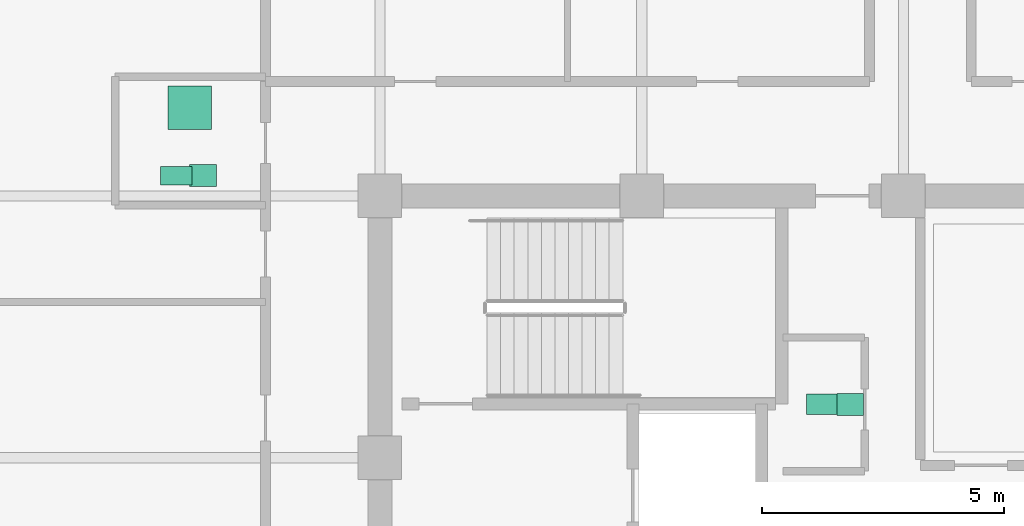
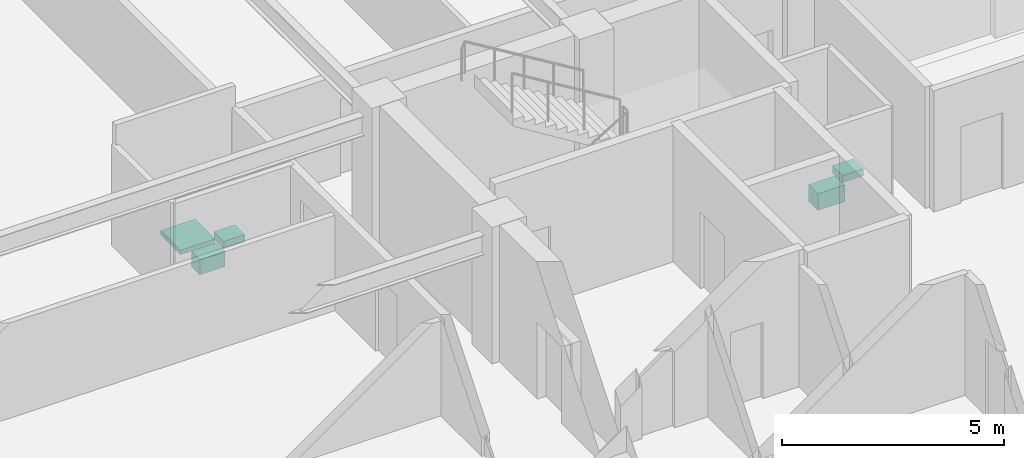
# One storey, part 31 of 31: 5 sanitary terminals.
"""IFC4 building model written with IfcOpenShell, lengths in metres."""

from ifc_helpers import new_model, si_unit, direction, frame, origin, origin_2d, place, context, subcontext, project, spatial, rectangle, extrude, material, type_object, element, save


model = new_model("IFC4")

# Units and contexts
model_context = context("Model", 3, precision=1e-05, world=origin(), true_north=direction((0.0, 1.0)))
body_context = subcontext(model_context, "Body", "Model", "MODEL_VIEW")
ifc_project = project(units=[si_unit("LENGTHUNIT", "METRE"), si_unit("AREAUNIT", "SQUARE_METRE"), si_unit("VOLUMEUNIT", "CUBIC_METRE"), si_unit("PLANEANGLEUNIT", "RADIAN"), si_unit("MASSUNIT", "GRAM", prefix="KILO")], contexts=[model_context])

# Site, building, storey
site_placement = place(None, origin())
site = spatial("IfcSite", under=ifc_project, at=site_placement, CompositionType="ELEMENT")
building_placement = place(site_placement, origin())
building = spatial("IfcBuilding", under=site, at=building_placement, Name="Surkhivell Harbour Commons", CompositionType="ELEMENT")
storey_placement = place(building_placement, frame((0.0, 0.0, 333.75)))
storey = spatial("IfcBuildingStorey", under=building, at=storey_placement, Name="L87", CompositionType="ELEMENT", Elevation=333.75)

# Sanitary terminals
ifc_material_1 = material(Name="Vitreous china washbasin", Category="other")
sanitary_terminal_type_1 = type_object("IfcSanitaryTerminalType", Name="SAN-BSN", PredefinedType="WASHHANDBASIN", material=ifc_material_1)
for number, where, z_axis, x_axis, name in (
    (1, (-1.10009765625, 6.5, 0.72021484375), (0.0, 0.0, 1.0), (1.0, 0.0, 0.0), "L87 Core Accessible WC Washbasin"),
    (2, (-14.449951171875, 11.219970703125, 0.72021484375), (0.0, 0.0, 1.0), (1.0, 0.0, 0.0), "L87 West Communal Bathroom WC Washbasin"),
):
    element("IfcSanitaryTerminal", number, at=place(storey_placement, frame(where, z_axis=z_axis, x_axis=x_axis)), inside=storey, type_object=sanitary_terminal_type_1, Name=name, PredefinedType="WASHHANDBASIN", context=body_context, shape_type="SweptSolid", body=[
        extrude(rectangle(XDim=0.550048828125, YDim=0.449951171875, at=origin_2d()), origin(), (0.0, 0.0, 1.0), 0.199951171875),
    ])
ifc_material_2 = material(Name="Glazed porcelain shower tray", Category="other")
sanitary_terminal_type_2 = type_object("IfcSanitaryTerminalType", Name="SAN-SHW", PredefinedType="SHOWER", material=ifc_material_2)
sanitary_terminal_1_placement = place(storey_placement, frame((-14.719970703125, 12.6201171875, 0.0), z_axis=(0.0, 0.0, 1.0), x_axis=(1.0, 0.0, 0.0)))
element("IfcSanitaryTerminal", 3, at=sanitary_terminal_1_placement, inside=storey, type_object=sanitary_terminal_type_2, Name="L87 West Communal Shower Tray", PredefinedType="SHOWER", context=body_context, shape_type="SweptSolid", body=[
    extrude(rectangle(XDim=0.89990234375, YDim=0.89990234375, at=origin_2d()), origin(), (0.0, 0.0, 1.0), 0.1201171875),
])
ifc_material_3 = material(Name="Vitreous china sanitaryware", Category="other")
sanitary_terminal_type_3 = type_object("IfcSanitaryTerminalType", Name="SAN-WC-ACC", PredefinedType="TOILETPAN", material=ifc_material_3)
sanitary_terminal_2_placement = place(storey_placement, frame((-1.64990234375, 6.5, 0.169921875), z_axis=(0.0, 0.0, 1.0), x_axis=(1.0, 0.0, 0.0)))
element("IfcSanitaryTerminal", 4, at=sanitary_terminal_2_placement, inside=storey, type_object=sanitary_terminal_type_3, Name="L87 Core Accessible WC", PredefinedType="TOILETPAN", context=body_context, shape_type="SweptSolid", body=[
    extrude(rectangle(XDim=0.699951171875, YDim=0.419921875, at=origin_2d()), origin(), (0.0, 0.0, 1.0), 0.4599609375),
])
sanitary_terminal_type_4 = type_object("IfcSanitaryTerminalType", Name="SAN-WC-STD", PredefinedType="TOILETPAN", material=ifc_material_3)
sanitary_terminal_3_placement = place(storey_placement, frame((-15.0, 11.219970703125, 0.18994140625), z_axis=(0.0, 0.0, 1.0), x_axis=(1.0, 0.0, 0.0)))
element("IfcSanitaryTerminal", 5, at=sanitary_terminal_3_placement, inside=storey, type_object=sanitary_terminal_type_4, Name="L87 West Communal Bathroom WC", PredefinedType="TOILETPAN", context=body_context, shape_type="SweptSolid", body=[
    extrude(rectangle(XDim=0.64990234375, YDim=0.3798828125, at=origin_2d()), origin(), (0.0, 0.0, 1.0), 0.419921875),
])

save(model, "model.ifc")
